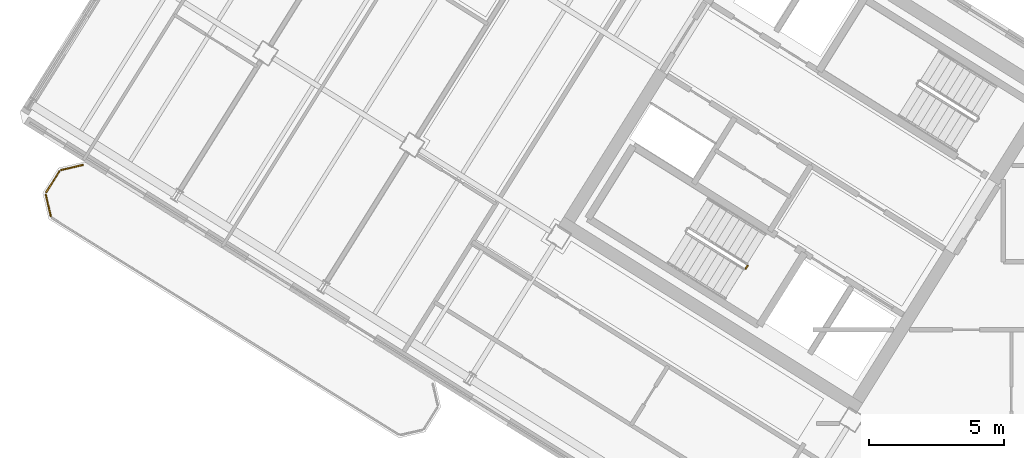
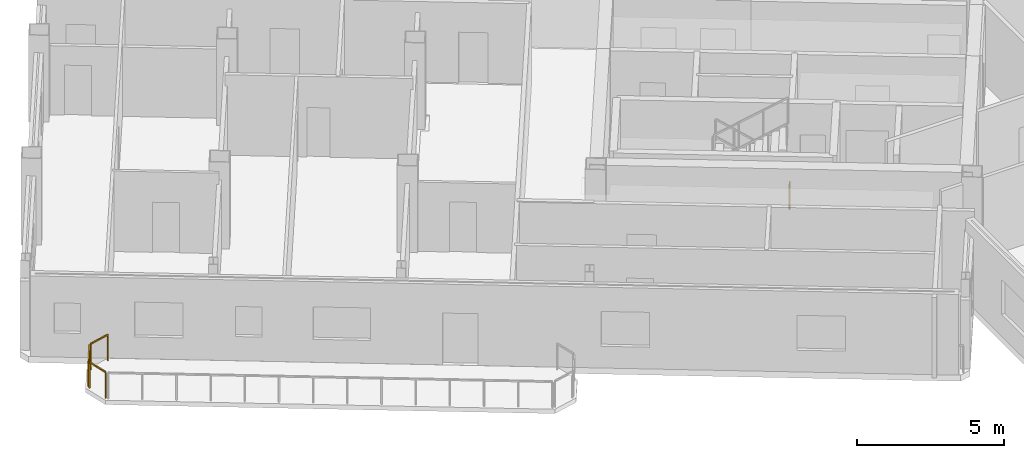
# One storey, part 10 of 14: 4 railings.
"""IFC4 building model written with IfcOpenShell, lengths in metres."""

from ifc_helpers import new_model, si_unit, direction, frame, origin, origin_2d, place, context, subcontext, project, spatial, rectangle, extrude, source, transform, mapped, material, type_object, element, save


model = new_model("IFC4")

# Units and contexts
model_context = context("Model", 3, precision=1e-05, world=origin(), true_north=direction((0.0, 1.0)))
body_context = subcontext(model_context, "Body", "Model", "MODEL_VIEW")
ifc_project = project(units=[si_unit("LENGTHUNIT", "METRE"), si_unit("AREAUNIT", "SQUARE_METRE"), si_unit("VOLUMEUNIT", "CUBIC_METRE"), si_unit("PLANEANGLEUNIT", "RADIAN"), si_unit("MASSUNIT", "GRAM", prefix="KILO")], contexts=[model_context])

# Site, building, storey
site_placement = place(None, origin())
site = spatial("IfcSite", under=ifc_project, at=site_placement, CompositionType="ELEMENT")
building_placement = place(site_placement, origin())
building = spatial("IfcBuilding", under=site, at=building_placement, Name="Tlacorven Tower", CompositionType="ELEMENT")
storey_placement = place(building_placement, frame((0.0, 0.0, 262.800048828125)))
storey = spatial("IfcBuildingStorey", under=building, at=storey_placement, Name="L66", CompositionType="ELEMENT", Elevation=262.800048828125)

# Railings
ifc_material = material(Name="Aluminium and painted steel balustrade", Category="steel")
railing_type_1 = type_object("IfcRailingType", Name="RL-BAL-1100", PredefinedType="BALUSTRADE", material=ifc_material)
shared_shape_1 = source(origin(), body_context, "Body", "SweptSolid", [
    extrude(rectangle(XDim=0.048095703125, YDim=0.048095703125, at=origin_2d()), frame((0.0, 0.0, 1.076171875), z_axis=(-0.225058334816, 0.974345290916, 0.0), x_axis=(-0.974345290916, -0.225058334816, 0.0)), (0.0, 0.0, 1.0), 0.80712890625),
    extrude(rectangle(XDim=0.0419921875, YDim=0.0419921875, at=origin_2d()), origin(), (0.0, 0.0, 1.0), 1.052001953125),
    extrude(rectangle(XDim=0.0419921875, YDim=0.0419921875, at=origin_2d()), frame((-0.181640625, 0.786376953125, 0.0)), (0.0, 0.0, 1.0), 1.052001953125),
])
railing_1_placement = place(storey_placement, frame((3.380859375, 19.62841796875, 0.0)))
element("IfcRailing", 1, at=railing_1_placement, inside=storey, type_object=railing_type_1, Name="BAL-L66-W-OUT Guard Railing 5", PredefinedType="BALUSTRADE", context=body_context, shape_type="MappedRepresentation", body=[
    mapped(shared_shape_1, transform((0.0, 0.0, 0.0), scale=1.0)),
])
shared_shape_2 = source(origin(), body_context, "Body", "SweptSolid", [
    extrude(rectangle(XDim=0.048095703125, YDim=0.048095703125, at=origin_2d()), frame((0.0, 0.0, 1.076171875), z_axis=(0.52987865805, 0.848073468364, 0.0), x_axis=(-0.848073468364, 0.52987865805, 0.0)), (0.0, 0.0, 1.0), 0.912353515625),
    extrude(rectangle(XDim=0.0419921875, YDim=0.0419921875, at=origin_2d()), origin(), (0.0, 0.0, 1.0), 1.052001953125),
    extrude(rectangle(XDim=0.0419921875, YDim=0.0419921875, at=origin_2d()), frame((0.4833984375, 0.773681640625, 0.0)), (0.0, 0.0, 1.0), 1.052001953125),
])
railing_2_placement = place(storey_placement, frame((3.214599609375, 20.505859375, 0.0)))
element("IfcRailing", 2, at=railing_2_placement, inside=storey, type_object=railing_type_1, Name="BAL-L66-W-OUT Guard Railing 6", PredefinedType="BALUSTRADE", context=body_context, shape_type="MappedRepresentation", body=[
    mapped(shared_shape_2, transform((0.0, 0.0, 0.0), scale=1.0)),
])
shared_shape_3 = source(origin(), body_context, "Body", "SweptSolid", [
    extrude(rectangle(XDim=0.048095703125, YDim=0.048095703125, at=origin_2d()), frame((0.0, 0.0, 1.076171875), z_axis=(0.974345290916, 0.225058334816, 0.0), x_axis=(-0.225058334816, 0.974345290916, 0.0)), (0.0, 0.0, 1.0), 0.80712890625),
    extrude(rectangle(XDim=0.0419921875, YDim=0.0419921875, at=origin_2d()), origin(), (0.0, 0.0, 1.0), 1.052001953125),
    extrude(rectangle(XDim=0.0419921875, YDim=0.0419921875, at=origin_2d()), frame((0.786376953125, 0.181640625, 0.0)), (0.0, 0.0, 1.0), 1.052001953125),
])
railing_3_placement = place(storey_placement, frame((3.773193359375, 21.3330078125, 0.0)))
element("IfcRailing", 3, at=railing_3_placement, inside=storey, type_object=railing_type_1, Name="BAL-L66-W-OUT Guard Railing 7", PredefinedType="BALUSTRADE", context=body_context, shape_type="MappedRepresentation", body=[
    mapped(shared_shape_3, transform((0.0, 0.0, 0.0), scale=1.0)),
])
railing_type_2 = type_object("IfcRailingType", Name="RL-GRD-1100", PredefinedType="GUARDRAIL", material=ifc_material)
shared_shape_4 = source(origin(), body_context, "Body", "SweptSolid", [
    extrude(rectangle(XDim=0.048095703125, YDim=0.048095703125, at=origin_2d()), frame((0.0, 0.0, 1.076171875), z_axis=(-0.529084052582, -0.848569422795, 0.0), x_axis=(0.848569422795, -0.529084052582, 0.0)), (0.0, 0.0, 1.0), 0.119873046875),
    extrude(rectangle(XDim=0.0419921875, YDim=0.0419921875, at=origin_2d()), origin(), (0.0, 0.0, 1.0), 1.052001953125),
    extrude(rectangle(XDim=0.0419921875, YDim=0.0419921875, at=origin_2d()), frame((-0.0634765625, -0.101806640625, 0.0)), (0.0, 0.0, 1.0), 1.052001953125),
])
railing_4_placement = place(storey_placement, frame((29.176513671875, 17.782958984375, 0.0)))
element("IfcRailing", 4, at=railing_4_placement, inside=storey, type_object=railing_type_2, Name="L66 ST-W1 stair guard 4", PredefinedType="GUARDRAIL", context=body_context, shape_type="MappedRepresentation", body=[
    mapped(shared_shape_4, transform((0.0, 0.0, 0.0), scale=1.0)),
])

save(model, "model.ifc")
